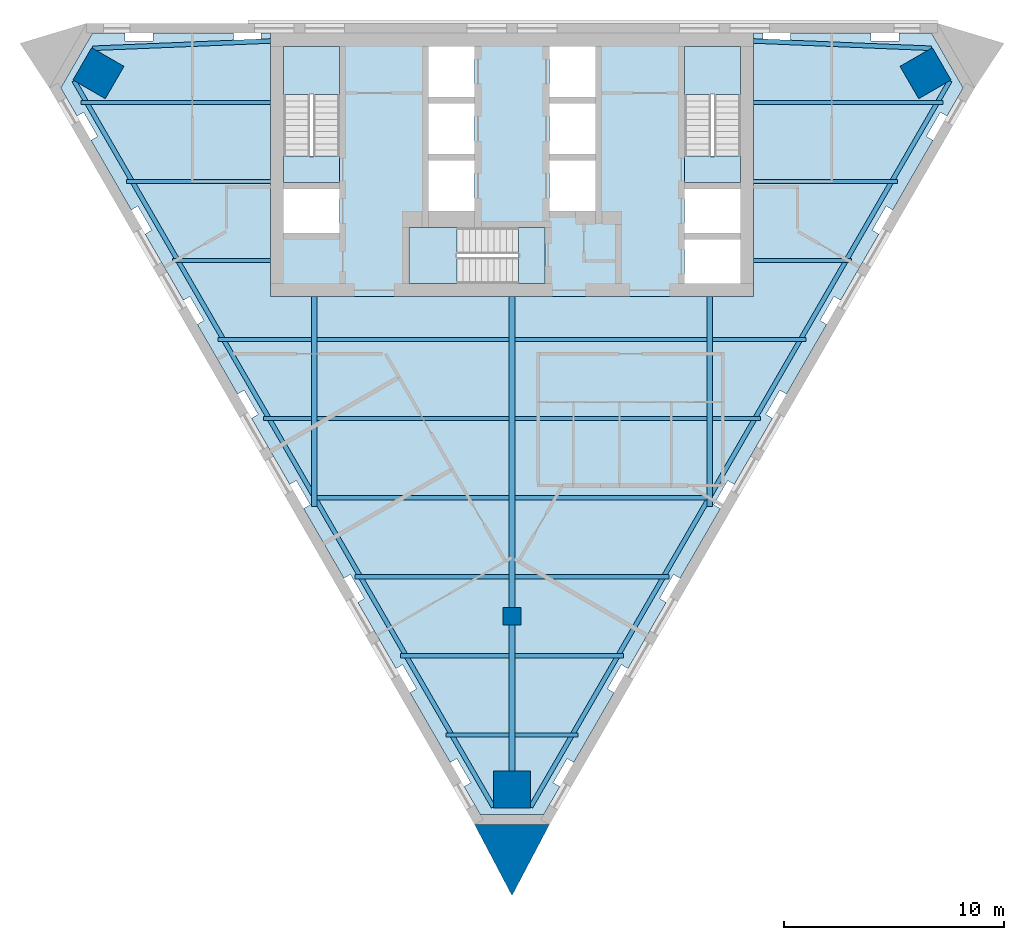
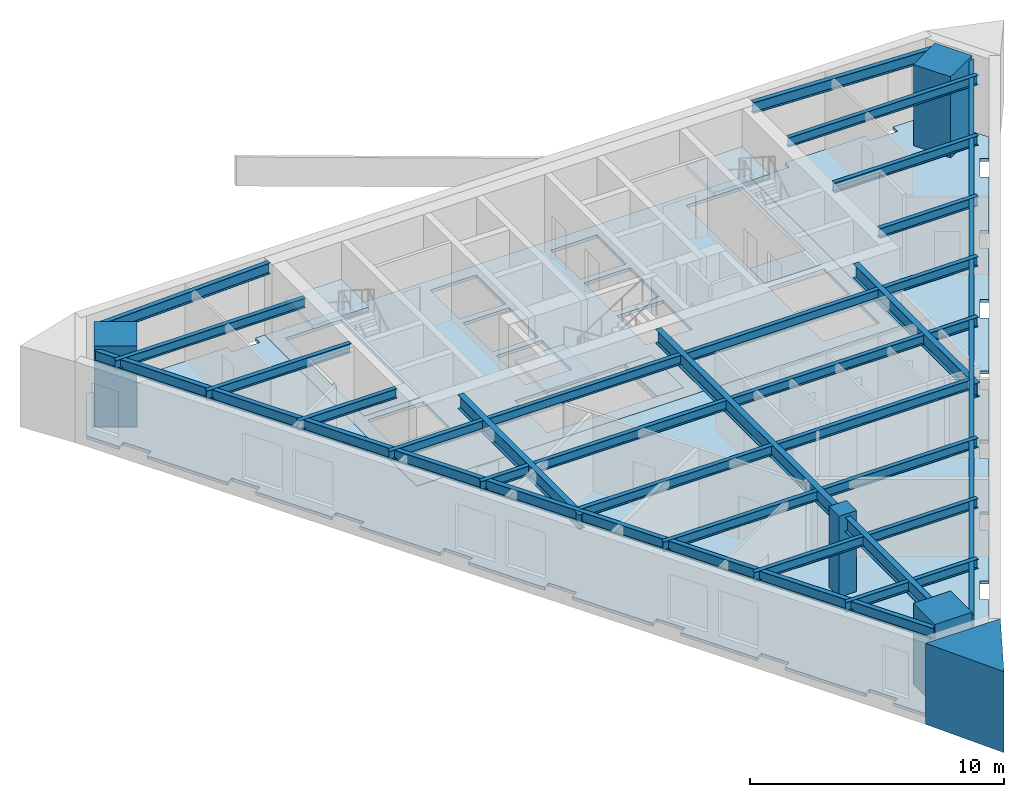
# One storey, part 1 of 6: 30 beams, 8 slabs, 4 columns, 1 wall, 3 elements without a shape of their own.
"""IFC4 building model written with IfcOpenShell, lengths in metres."""

from ifc_helpers import new_model, si_unit, direction, frame, origin, origin_2d, place, context, subcontext, project, spatial, polyline, rectangle, i_section, outline, extrude, material, layer, layer_set, material_profile, profile_set, type_object, element, aggregate, save


model = new_model("IFC4")

# Units and contexts
model_context = context("Model", 3, precision=1e-05, world=origin(), true_north=direction((0.0, 1.0)))
body_context = subcontext(model_context, "Body", "Model", "MODEL_VIEW")
ifc_project = project(units=[si_unit("LENGTHUNIT", "METRE"), si_unit("AREAUNIT", "SQUARE_METRE"), si_unit("VOLUMEUNIT", "CUBIC_METRE"), si_unit("PLANEANGLEUNIT", "RADIAN"), si_unit("MASSUNIT", "GRAM", prefix="KILO")], contexts=[model_context])

# Site, building, storey
site_placement = place(None, origin())
site = spatial("IfcSite", under=ifc_project, at=site_placement, CompositionType="ELEMENT")
building_placement = place(site_placement, origin())
building = spatial("IfcBuilding", under=site, at=building_placement, Name="Aloe Facet Convention Tower", CompositionType="ELEMENT")
storey_placement = place(building_placement, frame((0.0, 0.0, 184.10009765625)))
storey = spatial("IfcBuildingStorey", under=building, at=storey_placement, Name="L46", CompositionType="ELEMENT", Elevation=184.10009765625)

# Columns
ifc_material_1 = material(Name="Concrete C70/85", Category="concrete")
ifc_material_profile_1 = material_profile(ifc_material_1, rectangle(XDim=0.800048828125, YDim=0.800048828125, at=origin_2d()), Name="SF-GC-Z4")
ifc_profile_set_1 = profile_set([ifc_material_profile_1], Name="Concrete C70/85")
column_type_1 = type_object("IfcColumnType", Name="SF-GC-Z4", PredefinedType="COLUMN", material=ifc_profile_set_1)
column_placement = place(storey_placement, frame((80.0, 108.0, 0.0), z_axis=(0.0, 0.0, 1.0), x_axis=(1.0, 0.0, 0.0)))
element("IfcColumn", 1, at=column_placement, inside=storey, type_object=column_type_1, Name="Gravity column GC-Z4-9D", PredefinedType="COLUMN", context=body_context, shape_type="SweptSolid", body=[
    extrude(rectangle(XDim=0.800048828125, YDim=0.800048828125, at=origin_2d()), origin(), (0.0, 0.0, 1.0), 3.89990234375),
])
ifc_material_2 = material(Name="Concrete C80/95", Category="concrete")
ifc_material_profile_2 = material_profile(ifc_material_2, rectangle(XDim=1.699951171875, YDim=1.699951171875, at=origin_2d()), Name="STW-MC-Z4")
ifc_profile_set_2 = profile_set([ifc_material_profile_2], Name="Concrete C80/95")
column_type_2 = type_object("IfcColumnType", Name="STW-MC-Z4", PredefinedType="COLUMN", material=ifc_profile_set_2)
for number, where, z_axis, x_axis, name in (
    (2, (98.828857421875, 132.727783203125, 0.0), (0.0, 0.0, 1.0), (-0.5, 0.866025403784, 0.0), "Mega-column MC-NE-L46"),
    (3, (61.171142578125, 132.727783203125, 0.0), (0.0, 0.0, 1.0), (-0.5, -0.866025403784, 0.0), "Mega-column MC-NW-L46"),
    (4, (80.0, 100.114990234375, 0.0), (0.0, 0.0, 1.0), (1.0, 0.0, 0.0), "Mega-column MC-S-L46"),
):
    element("IfcColumn", number, at=place(storey_placement, frame(where, z_axis=z_axis, x_axis=x_axis)), inside=storey, type_object=column_type_2, Name=name, PredefinedType="COLUMN", context=body_context, shape_type="SweptSolid", body=[
        extrude(rectangle(XDim=1.699951171875, YDim=1.699951171875, at=origin_2d()), origin(), (0.0, 0.0, 1.0), 3.89990234375),
    ])

# Beams
ifc_material_3 = material(Name="Steel S355", Category="steel")
ifc_material_profile_3 = material_profile(ifc_material_3, i_section(OverallWidth=0.19140625, OverallDepth=0.4599609375, WebThickness=0.010009765625, FlangeThickness=0.01611328125, FilletRadius=0.01025390625, at=origin_2d()), Name="UB 457x191x82")
ifc_profile_set_3 = profile_set([ifc_material_profile_3], Name="Steel S355")
beam_type_1 = type_object("IfcBeamType", Name="SF-B-UB457x191x82", PredefinedType="BEAM", material=ifc_profile_set_3)
beam_1_placement = place(storey_placement, frame((60.373779296875, 131.39990234375, 3.52001953125), z_axis=(1.0, 0.0, 0.0), x_axis=(0.0, 1.0, 0.0)))
element("IfcBeam", 5, at=beam_1_placement, inside=storey, type_object=beam_type_1, Name="Floor beam FB-Z4B-009", PredefinedType="BEAM", context=body_context, shape_type="SweptSolid", body=[
    extrude(i_section(OverallWidth=0.19140625, OverallDepth=0.4599609375, WebThickness=0.010009765625, FlangeThickness=0.01611328125, FilletRadius=0.01025390625, at=origin_2d()), origin(), (0.0, 0.0, 1.0), 8.626220703125),
])
beam_2_placement = place(storey_placement, frame((62.452392578125, 127.800048828125, 3.52001953125), z_axis=(1.0, 0.0, 0.0), x_axis=(0.0, 1.0, 0.0)))
element("IfcBeam", 6, at=beam_2_placement, inside=storey, type_object=beam_type_1, Name="Floor beam FB-Z4B-010", PredefinedType="BEAM", context=body_context, shape_type="SweptSolid", body=[
    extrude(i_section(OverallWidth=0.19140625, OverallDepth=0.4599609375, WebThickness=0.010009765625, FlangeThickness=0.01611328125, FilletRadius=0.01025390625, at=origin_2d()), origin(), (0.0, 0.0, 1.0), 6.547607421875),
])
beam_3_placement = place(storey_placement, frame((64.53076171875, 124.199951171875, 3.52001953125), z_axis=(1.0, 0.0, 0.0), x_axis=(0.0, 1.0, 0.0)))
element("IfcBeam", 7, at=beam_3_placement, inside=storey, type_object=beam_type_1, Name="Floor beam FB-Z4B-011", PredefinedType="BEAM", context=body_context, shape_type="SweptSolid", body=[
    extrude(i_section(OverallWidth=0.19140625, OverallDepth=0.4599609375, WebThickness=0.010009765625, FlangeThickness=0.01611328125, FilletRadius=0.01025390625, at=origin_2d()), origin(), (0.0, 0.0, 1.0), 4.46923828125),
])
beam_4_placement = place(storey_placement, frame((66.609130859375, 120.60009765625, 3.52001953125), z_axis=(1.0, 0.0, 0.0), x_axis=(0.0, 1.0, 0.0)))
element("IfcBeam", 8, at=beam_4_placement, inside=storey, type_object=beam_type_1, Name="Floor beam FB-Z4B-012", PredefinedType="BEAM", context=body_context, shape_type="SweptSolid", body=[
    extrude(i_section(OverallWidth=0.19140625, OverallDepth=0.4599609375, WebThickness=0.010009765625, FlangeThickness=0.01611328125, FilletRadius=0.01025390625, at=origin_2d()), origin(), (0.0, 0.0, 1.0), 4.264404296875),
])
beam_5_placement = place(storey_placement, frame((68.687744140625, 117.0, 3.52001953125), z_axis=(1.0, 0.0, 0.0), x_axis=(0.0, 1.0, 0.0)))
element("IfcBeam", 9, at=beam_5_placement, inside=storey, type_object=beam_type_1, Name="Floor beam FB-Z4B-013", PredefinedType="BEAM", context=body_context, shape_type="SweptSolid", body=[
    extrude(i_section(OverallWidth=0.19140625, OverallDepth=0.4599609375, WebThickness=0.010009765625, FlangeThickness=0.01611328125, FilletRadius=0.01025390625, at=origin_2d()), origin(), (0.0, 0.0, 1.0), 2.185791015625),
])
for number, where, z_axis, x_axis, name in (
    (10, (71.12646484375, 113.39990234375, 3.52001953125), (1.0, 0.0, 0.0), (0.0, 1.0, 0.0), "Floor beam FB-Z4B-014"),
    (11, (71.12646484375, 117.0, 3.52001953125), (1.0, 0.0, 0.0), (0.0, 1.0, 0.0), "Floor beam FB-Z4B-015"),
    (12, (71.12646484375, 120.60009765625, 3.52001953125), (1.0, 0.0, 0.0), (0.0, 1.0, 0.0), "Floor beam FB-Z4B-016"),
):
    element("IfcBeam", number, at=place(storey_placement, frame(where, z_axis=z_axis, x_axis=x_axis)), inside=storey, type_object=beam_type_1, Name=name, PredefinedType="BEAM", context=body_context, shape_type="SweptSolid", body=[
        extrude(i_section(OverallWidth=0.19140625, OverallDepth=0.4599609375, WebThickness=0.010009765625, FlangeThickness=0.01611328125, FilletRadius=0.01025390625, at=origin_2d()), origin(), (0.0, 0.0, 1.0), 8.7470703125),
    ])
beam_6_placement = place(storey_placement, frame((72.844482421875, 109.800048828125, 3.52001953125), z_axis=(1.0, 0.0, 0.0), x_axis=(0.0, 1.0, 0.0)))
element("IfcBeam", 13, at=beam_6_placement, inside=storey, type_object=beam_type_1, Name="Floor beam FB-Z4B-017", PredefinedType="BEAM", context=body_context, shape_type="SweptSolid", body=[
    extrude(i_section(OverallWidth=0.19140625, OverallDepth=0.4599609375, WebThickness=0.010009765625, FlangeThickness=0.01611328125, FilletRadius=0.01025390625, at=origin_2d()), origin(), (0.0, 0.0, 1.0), 7.029052734375),
])
beam_7_placement = place(storey_placement, frame((74.923095703125, 106.199951171875, 3.52001953125), z_axis=(1.0, 0.0, 0.0), x_axis=(0.0, 1.0, 0.0)))
element("IfcBeam", 14, at=beam_7_placement, inside=storey, type_object=beam_type_1, Name="Floor beam FB-Z4B-018", PredefinedType="BEAM", context=body_context, shape_type="SweptSolid", body=[
    extrude(i_section(OverallWidth=0.19140625, OverallDepth=0.4599609375, WebThickness=0.010009765625, FlangeThickness=0.01611328125, FilletRadius=0.01025390625, at=origin_2d()), origin(), (0.0, 0.0, 1.0), 4.950439453125),
])
for number, where, z_axis, x_axis, name in (
    (15, (77.00146484375, 102.60009765625, 3.52001953125), (1.0, 0.0, 0.0), (0.0, 1.0, 0.0), "Floor beam FB-Z4B-019"),
    (16, (80.12646484375, 102.60009765625, 3.52001953125), (1.0, 0.0, 0.0), (0.0, 1.0, 0.0), "Floor beam FB-Z4B-020"),
):
    element("IfcBeam", number, at=place(storey_placement, frame(where, z_axis=z_axis, x_axis=x_axis)), inside=storey, type_object=beam_type_1, Name=name, PredefinedType="BEAM", context=body_context, shape_type="SweptSolid", body=[
        extrude(i_section(OverallWidth=0.19140625, OverallDepth=0.4599609375, WebThickness=0.010009765625, FlangeThickness=0.01611328125, FilletRadius=0.01025390625, at=origin_2d()), origin(), (0.0, 0.0, 1.0), 2.8720703125),
    ])
beam_8_placement = place(storey_placement, frame((80.12646484375, 106.199951171875, 3.52001953125), z_axis=(1.0, 0.0, 0.0), x_axis=(0.0, 1.0, 0.0)))
element("IfcBeam", 17, at=beam_8_placement, inside=storey, type_object=beam_type_1, Name="Floor beam FB-Z4B-021", PredefinedType="BEAM", context=body_context, shape_type="SweptSolid", body=[
    extrude(i_section(OverallWidth=0.19140625, OverallDepth=0.4599609375, WebThickness=0.010009765625, FlangeThickness=0.01611328125, FilletRadius=0.01025390625, at=origin_2d()), origin(), (0.0, 0.0, 1.0), 4.950439453125),
])
beam_9_placement = place(storey_placement, frame((80.12646484375, 109.800048828125, 3.52001953125), z_axis=(1.0, 0.0, 0.0), x_axis=(0.0, 1.0, 0.0)))
element("IfcBeam", 18, at=beam_9_placement, inside=storey, type_object=beam_type_1, Name="Floor beam FB-Z4B-022", PredefinedType="BEAM", context=body_context, shape_type="SweptSolid", body=[
    extrude(i_section(OverallWidth=0.19140625, OverallDepth=0.4599609375, WebThickness=0.010009765625, FlangeThickness=0.01611328125, FilletRadius=0.01025390625, at=origin_2d()), origin(), (0.0, 0.0, 1.0), 7.029052734375),
])
for number, where, z_axis, x_axis, name in (
    (19, (80.12646484375, 113.39990234375, 3.52001953125), (1.0, 0.0, 0.0), (0.0, 1.0, 0.0), "Floor beam FB-Z4B-023"),
    (20, (80.12646484375, 117.0, 3.52001953125), (1.0, 0.0, 0.0), (0.0, 1.0, 0.0), "Floor beam FB-Z4B-024"),
    (21, (80.12646484375, 120.60009765625, 3.52001953125), (1.0, 0.0, 0.0), (0.0, 1.0, 0.0), "Floor beam FB-Z4B-025"),
):
    element("IfcBeam", number, at=place(storey_placement, frame(where, z_axis=z_axis, x_axis=x_axis)), inside=storey, type_object=beam_type_1, Name=name, PredefinedType="BEAM", context=body_context, shape_type="SweptSolid", body=[
        extrude(i_section(OverallWidth=0.19140625, OverallDepth=0.4599609375, WebThickness=0.010009765625, FlangeThickness=0.01611328125, FilletRadius=0.01025390625, at=origin_2d()), origin(), (0.0, 0.0, 1.0), 8.7470703125),
    ])
beam_10_placement = place(storey_placement, frame((89.12646484375, 117.0, 3.52001953125), z_axis=(1.0, 0.0, 0.0), x_axis=(0.0, 1.0, 0.0)))
element("IfcBeam", 22, at=beam_10_placement, inside=storey, type_object=beam_type_1, Name="Floor beam FB-Z4B-026", PredefinedType="BEAM", context=body_context, shape_type="SweptSolid", body=[
    extrude(i_section(OverallWidth=0.19140625, OverallDepth=0.4599609375, WebThickness=0.010009765625, FlangeThickness=0.01611328125, FilletRadius=0.01025390625, at=origin_2d()), origin(), (0.0, 0.0, 1.0), 2.185791015625),
])
beam_11_placement = place(storey_placement, frame((89.12646484375, 120.60009765625, 3.52001953125), z_axis=(1.0, 0.0, 0.0), x_axis=(0.0, 1.0, 0.0)))
element("IfcBeam", 23, at=beam_11_placement, inside=storey, type_object=beam_type_1, Name="Floor beam FB-Z4B-027", PredefinedType="BEAM", context=body_context, shape_type="SweptSolid", body=[
    extrude(i_section(OverallWidth=0.19140625, OverallDepth=0.4599609375, WebThickness=0.010009765625, FlangeThickness=0.01611328125, FilletRadius=0.01025390625, at=origin_2d()), origin(), (0.0, 0.0, 1.0), 4.264404296875),
])
beam_12_placement = place(storey_placement, frame((91.0, 124.199951171875, 3.52001953125), z_axis=(1.0, 0.0, 0.0), x_axis=(0.0, 1.0, 0.0)))
element("IfcBeam", 24, at=beam_12_placement, inside=storey, type_object=beam_type_1, Name="Floor beam FB-Z4B-028", PredefinedType="BEAM", context=body_context, shape_type="SweptSolid", body=[
    extrude(i_section(OverallWidth=0.19140625, OverallDepth=0.4599609375, WebThickness=0.010009765625, FlangeThickness=0.01611328125, FilletRadius=0.01025390625, at=origin_2d()), origin(), (0.0, 0.0, 1.0), 4.46923828125),
])
beam_13_placement = place(storey_placement, frame((91.0, 127.800048828125, 3.52001953125), z_axis=(1.0, 0.0, 0.0), x_axis=(0.0, 1.0, 0.0)))
element("IfcBeam", 25, at=beam_13_placement, inside=storey, type_object=beam_type_1, Name="Floor beam FB-Z4B-029", PredefinedType="BEAM", context=body_context, shape_type="SweptSolid", body=[
    extrude(i_section(OverallWidth=0.19140625, OverallDepth=0.4599609375, WebThickness=0.010009765625, FlangeThickness=0.01611328125, FilletRadius=0.01025390625, at=origin_2d()), origin(), (0.0, 0.0, 1.0), 6.547607421875),
])
beam_14_placement = place(storey_placement, frame((91.0, 131.39990234375, 3.52001953125), z_axis=(1.0, 0.0, 0.0), x_axis=(0.0, 1.0, 0.0)))
element("IfcBeam", 26, at=beam_14_placement, inside=storey, type_object=beam_type_1, Name="Floor beam FB-Z4B-030", PredefinedType="BEAM", context=body_context, shape_type="SweptSolid", body=[
    extrude(i_section(OverallWidth=0.19140625, OverallDepth=0.4599609375, WebThickness=0.010009765625, FlangeThickness=0.01611328125, FilletRadius=0.01025390625, at=origin_2d()), origin(), (0.0, 0.0, 1.0), 8.626220703125),
])
ifc_material_4 = material(Name="Steel S355", Category="steel")
ifc_material_profile_4 = material_profile(ifc_material_4, i_section(OverallWidth=0.209228515625, OverallDepth=0.533203125, WebThickness=0.010009765625, FlangeThickness=0.015625, FilletRadius=0.0126953125, at=origin_2d()), Name="UB 533x210x92")
ifc_profile_set_4 = profile_set([ifc_material_profile_4], Name="Steel S355")
beam_type_2 = type_object("IfcBeamType", Name="SF-B-UB533x210x92", PredefinedType="BEAM", material=ifc_profile_set_4)
beam_15_placement = place(storey_placement, frame((60.9072265625, 133.861572265625, 3.4833984375), z_axis=(0.999150743543, 0.041204267721, 0.0), x_axis=(-0.041204267721, 0.999150743543, 0.0)))
element("IfcBeam", 27, at=beam_15_placement, inside=storey, type_object=beam_type_2, Name="Floor beam FB-Z4B-001", PredefinedType="BEAM", context=body_context, shape_type="SweptSolid", body=[
    extrude(i_section(OverallWidth=0.209228515625, OverallDepth=0.533203125, WebThickness=0.010009765625, FlangeThickness=0.015625, FilletRadius=0.0126953125, at=origin_2d()), origin(), (0.0, 0.0, 1.0), 8.099609375),
])
beam_16_placement = place(storey_placement, frame((79.14990234375, 99.319580078125, 3.4833984375), z_axis=(-0.499998065821, 0.866026520481, 0.0), x_axis=(-0.866026520481, -0.499998065821, 0.0)))
element("IfcBeam", 28, at=beam_16_placement, inside=storey, type_object=beam_type_2, Name="Floor beam FB-Z4B-002", PredefinedType="BEAM", context=body_context, shape_type="SweptSolid", body=[
    extrude(i_section(OverallWidth=0.209228515625, OverallDepth=0.533203125, WebThickness=0.010009765625, FlangeThickness=0.015625, FilletRadius=0.0126953125, at=origin_2d()), origin(), (0.0, 0.0, 1.0), 38.185791015625),
])
beam_17_placement = place(storey_placement, frame((91.0, 134.1953125, 3.4833984375), z_axis=(0.999150743543, -0.041204267721, 0.0), x_axis=(0.041204267721, 0.999150743543, 0.0)))
element("IfcBeam", 29, at=beam_17_placement, inside=storey, type_object=beam_type_2, Name="Floor beam FB-Z4B-003", PredefinedType="BEAM", context=body_context, shape_type="SweptSolid", body=[
    extrude(i_section(OverallWidth=0.209228515625, OverallDepth=0.533203125, WebThickness=0.010009765625, FlangeThickness=0.015625, FilletRadius=0.0126953125, at=origin_2d()), origin(), (0.0, 0.0, 1.0), 8.099609375),
])
beam_18_placement = place(storey_placement, frame((99.94287109375, 132.389404296875, 3.4833984375), z_axis=(-0.499998065821, -0.866026520481, 0.0), x_axis=(0.866026520481, -0.499998065821, 0.0)))
element("IfcBeam", 30, at=beam_18_placement, inside=storey, type_object=beam_type_2, Name="Floor beam FB-Z4B-004", PredefinedType="BEAM", context=body_context, shape_type="SweptSolid", body=[
    extrude(i_section(OverallWidth=0.209228515625, OverallDepth=0.533203125, WebThickness=0.010009765625, FlangeThickness=0.015625, FilletRadius=0.0126953125, at=origin_2d()), origin(), (0.0, 0.0, 1.0), 38.185791015625),
])
ifc_material_5 = material(Name="Steel S355", Category="steel")
ifc_material_profile_5 = material_profile(ifc_material_5, i_section(OverallWidth=0.2529296875, OverallDepth=0.677978515625, WebThickness=0.01171875, FlangeThickness=0.01611328125, FilletRadius=0.01513671875, at=origin_2d()), Name="UB 686x254x125")
ifc_profile_set_5 = profile_set([ifc_material_profile_5], Name="Steel S355")
beam_type_3 = type_object("IfcBeamType", Name="SF-B-UB686x254x125", PredefinedType="BEAM", material=ifc_profile_set_5)
beam_19_placement = place(storey_placement, frame((71.0, 122.550048828125, 3.410888671875), z_axis=(0.0, -1.0, 0.0), x_axis=(1.0, 0.0, 0.0)))
element("IfcBeam", 31, at=beam_19_placement, inside=storey, type_object=beam_type_3, Name="Floor beam FB-Z4B-005", PredefinedType="BEAM", context=body_context, shape_type="SweptSolid", body=[
    extrude(i_section(OverallWidth=0.2529296875, OverallDepth=0.677978515625, WebThickness=0.01171875, FlangeThickness=0.01611328125, FilletRadius=0.01513671875, at=origin_2d()), origin(), (0.0, 0.0, 1.0), 9.5625),
])
beam_20_placement = place(storey_placement, frame((80.0, 107.60009765625, 3.410888671875), z_axis=(0.0, -1.0, 0.0), x_axis=(1.0, 0.0, 0.0)))
element("IfcBeam", 32, at=beam_20_placement, inside=storey, type_object=beam_type_3, Name="Floor beam FB-Z4B-006", PredefinedType="BEAM", context=body_context, shape_type="SweptSolid", body=[
    extrude(i_section(OverallWidth=0.2529296875, OverallDepth=0.677978515625, WebThickness=0.01171875, FlangeThickness=0.01611328125, FilletRadius=0.01513671875, at=origin_2d()), origin(), (0.0, 0.0, 1.0), 8.165771484375),
])
beam_21_placement = place(storey_placement, frame((80.0, 122.550048828125, 3.410888671875), z_axis=(0.0, -1.0, 0.0), x_axis=(1.0, 0.0, 0.0)))
element("IfcBeam", 33, at=beam_21_placement, inside=storey, type_object=beam_type_3, Name="Floor beam FB-Z4B-007", PredefinedType="BEAM", context=body_context, shape_type="SweptSolid", body=[
    extrude(i_section(OverallWidth=0.2529296875, OverallDepth=0.677978515625, WebThickness=0.01171875, FlangeThickness=0.01611328125, FilletRadius=0.01513671875, at=origin_2d()), origin(), (0.0, 0.0, 1.0), 14.150146484375),
])
beam_22_placement = place(storey_placement, frame((89.0, 122.550048828125, 3.410888671875), z_axis=(0.0, -1.0, 0.0), x_axis=(1.0, 0.0, 0.0)))
element("IfcBeam", 34, at=beam_22_placement, inside=storey, type_object=beam_type_3, Name="Floor beam FB-Z4B-008", PredefinedType="BEAM", context=body_context, shape_type="SweptSolid", body=[
    extrude(i_section(OverallWidth=0.2529296875, OverallDepth=0.677978515625, WebThickness=0.01171875, FlangeThickness=0.01611328125, FilletRadius=0.01513671875, at=origin_2d()), origin(), (0.0, 0.0, 1.0), 9.5625),
])

# Slabs
ifc_material_6 = material(Name="Concrete C50/60", Category="concrete")
ifc_layer_1 = layer(ifc_material_6, 0.14990234375)
ifc_layer_set_1 = layer_set([ifc_layer_1], Name="CR-S-FLOOR150-C5060")
slab_type_1 = type_object("IfcSlabType", Name="CR-S-FLOOR150-C5060", PredefinedType="FLOOR", material=ifc_layer_set_1)
slab_1_placement = place(storey_placement, frame((0.0, 0.0, -0.150146484375)))
element("IfcSlab", 35, at=slab_1_placement, inside=storey, type_object=slab_type_1, Name="Core floor L46", PredefinedType="FLOOR", context=body_context, shape_type="SweptSolid", body=[
    extrude(outline(polyline([(71.85009765625, 134.550048828125), (72.75, 134.550048828125), (75.60009765625, 134.550048828125), (76.5, 134.550048828125), (78.0, 134.550048828125), (78.89990234375, 134.550048828125), (81.10009765625, 134.550048828125), (82.0, 134.550048828125), (83.5, 134.550048828125), (84.39990234375, 134.550048828125), (87.25, 134.550048828125), (88.14990234375, 134.550048828125), (91.0, 134.550048828125), (91.0, 128.050048828125), (91.0, 127.14990234375), (91.0, 125.75), (91.0, 124.85009765625), (91.0, 122.550048828125), (88.14990234375, 122.550048828125), (87.25, 122.550048828125), (85.300048828125, 122.550048828125), (84.39990234375, 122.550048828125), (82.10009765625, 122.550048828125), (81.199951171875, 122.550048828125), (75.60009765625, 122.550048828125), (74.699951171875, 122.550048828125), (72.75, 122.550048828125), (71.85009765625, 122.550048828125), (69.0, 122.550048828125), (69.0, 124.85009765625), (69.0, 125.75), (69.0, 127.14990234375), (69.0, 128.050048828125), (69.0, 134.550048828125), (71.85009765625, 134.550048828125)]), holes=[polyline([(80.298828125, 123.14990234375), (81.5, 123.14990234375), (81.5, 125.699951171875), (80.298828125, 125.699951171875), (75.300048828125, 125.699951171875), (75.300048828125, 123.14990234375), (80.298828125, 123.14990234375)]), polyline([(69.60009765625, 125.449951171875), (72.14990234375, 125.449951171875), (72.14990234375, 127.449951171875), (69.60009765625, 127.449951171875), (69.60009765625, 125.449951171875)]), polyline([(76.199951171875, 126.449951171875), (78.300048828125, 126.449951171875), (78.300048828125, 128.75), (76.199951171875, 128.75), (76.199951171875, 126.449951171875)]), polyline([(78.300048828125, 129.050048828125), (78.300048828125, 131.35009765625), (76.199951171875, 131.35009765625), (76.199951171875, 129.050048828125), (78.300048828125, 129.050048828125)]), polyline([(69.60009765625, 133.949951171875), (69.60009765625, 128.951171875), (69.60009765625, 127.75), (72.14990234375, 127.75), (72.14990234375, 128.951171875), (72.14990234375, 133.949951171875), (69.60009765625, 133.949951171875)]), polyline([(76.199951171875, 131.64990234375), (78.300048828125, 131.64990234375), (78.300048828125, 133.949951171875), (76.199951171875, 133.949951171875), (76.199951171875, 131.64990234375)]), polyline([(90.39990234375, 123.14990234375), (90.39990234375, 125.14990234375), (87.85009765625, 125.14990234375), (87.85009765625, 123.14990234375), (90.39990234375, 123.14990234375)]), polyline([(87.85009765625, 125.449951171875), (90.39990234375, 125.449951171875), (90.39990234375, 127.449951171875), (87.85009765625, 127.449951171875), (87.85009765625, 125.449951171875)]), polyline([(81.699951171875, 126.449951171875), (83.800048828125, 126.449951171875), (83.800048828125, 128.75), (81.699951171875, 128.75), (81.699951171875, 126.449951171875)]), polyline([(83.800048828125, 129.050048828125), (83.800048828125, 131.35009765625), (81.699951171875, 131.35009765625), (81.699951171875, 129.050048828125), (83.800048828125, 129.050048828125)]), polyline([(87.85009765625, 133.949951171875), (87.85009765625, 128.951171875), (87.85009765625, 127.75), (90.39990234375, 127.75), (90.39990234375, 128.951171875), (90.39990234375, 133.949951171875), (87.85009765625, 133.949951171875)]), polyline([(81.699951171875, 131.64990234375), (83.800048828125, 131.64990234375), (83.800048828125, 133.949951171875), (81.699951171875, 133.949951171875), (81.699951171875, 131.64990234375)])]), origin(), (0.0, 0.0, 1.0), 0.150146484375),
])
ifc_material_7 = material(Name="Concrete C50/60", Category="concrete")
ifc_layer_2 = layer(ifc_material_7, 0.300048828125)
ifc_layer_set_2 = layer_set([ifc_layer_2], Name="CR-S-FLOOR300-C5060")
slab_type_2 = type_object("IfcSlabType", Name="CR-S-FLOOR300-C5060", PredefinedType="FLOOR", material=ifc_layer_set_2)
slab_2_placement = place(storey_placement, frame((0.0, 0.0, -0.300048828125)))
element("IfcSlab", 36, at=slab_2_placement, inside=storey, type_object=slab_type_2, Name="Stair landing floor L46", PredefinedType="FLOOR", context=body_context, shape_type="SweptSolid", body=[
    extrude(outline(polyline([(72.14990234375, 127.75), (72.14990234375, 128.951171875), (69.60009765625, 128.951171875), (69.60009765625, 127.75), (72.14990234375, 127.75)])), origin(), (0.0, 0.0, 1.0), 0.300048828125),
])
slab_3_placement = place(storey_placement, frame((0.0, 0.0, -0.300048828125)))
element("IfcSlab", 37, at=slab_3_placement, inside=storey, type_object=slab_type_2, Name="Stair landing floor L46", PredefinedType="FLOOR", context=body_context, shape_type="SweptSolid", body=[
    extrude(outline(polyline([(90.39990234375, 127.75), (90.39990234375, 128.951171875), (87.85009765625, 128.951171875), (87.85009765625, 127.75), (90.39990234375, 127.75)])), origin(), (0.0, 0.0, 1.0), 0.300048828125),
])
slab_4_placement = place(storey_placement, frame((0.0, 0.0, -0.300048828125)))
element("IfcSlab", 38, at=slab_4_placement, inside=storey, type_object=slab_type_2, Name="Stair landing floor L46", PredefinedType="FLOOR", context=body_context, shape_type="SweptSolid", body=[
    extrude(outline(polyline([(81.5, 125.699951171875), (80.298828125, 125.699951171875), (80.298828125, 123.14990234375), (81.5, 123.14990234375), (81.5, 125.699951171875)])), origin(), (0.0, 0.0, 1.0), 0.300048828125),
])

# Stair, slab
ifc_material_8 = material(Name="Concrete C50/60", Category="concrete")
stair_type = type_object("IfcStairType", Name="CR-ST-22R", PredefinedType="HALF_TURN_STAIR", material=ifc_material_8)
stair_1_placement = place(storey_placement, origin())
stair_1 = element("IfcStair", 39, at=stair_1_placement, inside=storey, type_object=stair_type, Name="L46 Protected exit stair ST1", PredefinedType="HALF_TURN_STAIR")
ifc_material_9 = material(Name="Concrete C50/60", Category="concrete")
ifc_layer_3 = layer(ifc_material_9, 0.199951171875)
ifc_layer_set_3 = layer_set([ifc_layer_3], Name="CR-SL-LANDING")
slab_type_3 = type_object("IfcSlabType", Name="CR-SL-LANDING", PredefinedType="LANDING", material=ifc_layer_set_3)
slab_5_placement = place(storey_placement, frame((0.0, 0.0, 1.75)))
slab_5 = element("IfcSlab", 40, at=slab_5_placement, type_object=slab_type_3, Name="ST1 landing 1", PredefinedType="LANDING", context=body_context, shape_type="SweptSolid", body=[
    extrude(outline(polyline([(72.14990234375, 131.75), (72.14990234375, 133.949951171875), (69.60009765625, 133.949951171875), (69.60009765625, 131.75), (72.14990234375, 131.75)])), origin(), (0.0, 0.0, 1.0), 0.199951171875),
])
aggregate(stair_1, [slab_5])

stair_2_placement = place(storey_placement, origin())
stair_2 = element("IfcStair", 41, at=stair_2_placement, inside=storey, type_object=stair_type, Name="L46 Protected exit stair ST2", PredefinedType="HALF_TURN_STAIR")
slab_6_placement = place(storey_placement, frame((0.0, 0.0, 1.75)))
slab_6 = element("IfcSlab", 42, at=slab_6_placement, type_object=slab_type_3, Name="ST2 landing 1", PredefinedType="LANDING", context=body_context, shape_type="SweptSolid", body=[
    extrude(outline(polyline([(90.39990234375, 131.75), (90.39990234375, 133.949951171875), (87.85009765625, 133.949951171875), (87.85009765625, 131.75), (90.39990234375, 131.75)])), origin(), (0.0, 0.0, 1.0), 0.199951171875),
])
aggregate(stair_2, [slab_6])

stair_3_placement = place(storey_placement, origin())
stair_3 = element("IfcStair", 43, at=stair_3_placement, inside=storey, type_object=stair_type, Name="L46 Protected exit stair ST3", PredefinedType="HALF_TURN_STAIR")
slab_7_placement = place(storey_placement, frame((0.0, 0.0, 1.75)))
slab_7 = element("IfcSlab", 44, at=slab_7_placement, type_object=slab_type_3, Name="ST3 landing 1", PredefinedType="LANDING", context=body_context, shape_type="SweptSolid", body=[
    extrude(outline(polyline([(77.5, 125.699951171875), (75.300048828125, 125.699951171875), (75.300048828125, 123.14990234375), (77.5, 123.14990234375), (77.5, 125.699951171875)])), origin(), (0.0, 0.0, 1.0), 0.199951171875),
])
aggregate(stair_3, [slab_7])

# Slab
ifc_material_10 = material(Name="Concrete C35/45", Category="concrete")
ifc_layer_4 = layer(ifc_material_10, 0.14990234375)
ifc_layer_set_4 = layer_set([ifc_layer_4], Name="SF-FS-150")
slab_type_4 = type_object("IfcSlabType", Name="SF-FS-150", PredefinedType="FLOOR", material=ifc_layer_set_4)
slab_8_placement = place(storey_placement, frame((0.0, 0.0, -0.150146484375)))
element("IfcSlab", 45, at=slab_8_placement, inside=storey, type_object=slab_type_4, Name="Floor slab L46-1", PredefinedType="FLOOR", context=body_context, shape_type="SweptSolid", body=[
    extrude(outline(polyline([(100.544921875, 132.055419921875), (99.805419921875, 130.7744140625), (99.502197265625, 130.949462890625), (98.8671875, 129.849609375), (99.17041015625, 129.674560546875), (97.33837890625, 126.501220703125), (97.03515625, 126.67626953125), (96.400146484375, 125.576416015625), (96.703369140625, 125.4013671875), (94.96435546875, 122.389404296875), (94.6611328125, 122.564453125), (94.026123046875, 121.464599609375), (94.3291015625, 121.28955078125), (92.4970703125, 118.1162109375), (92.194091796875, 118.291259765625), (91.55908203125, 117.19140625), (91.862060546875, 117.016357421875), (90.123046875, 114.004150390625), (89.820068359375, 114.17919921875), (89.18505859375, 113.079345703125), (89.488037109375, 112.904296875), (87.656005859375, 109.731201171875), (87.352783203125, 109.906005859375), (86.7177734375, 108.80615234375), (87.02099609375, 108.631103515625), (85.281982421875, 105.619140625), (84.978759765625, 105.794189453125), (84.34375, 104.694091796875), (84.64697265625, 104.519287109375), (82.814697265625, 101.345947265625), (82.51171875, 101.52099609375), (81.876708984375, 100.4208984375), (82.1796875, 100.24609375), (81.440185546875, 98.965087890625), (78.559814453125, 98.965087890625), (77.8203125, 100.24609375), (78.123291015625, 100.4208984375), (77.48828125, 101.52099609375), (77.185302734375, 101.345947265625), (75.35302734375, 104.519287109375), (75.65625, 104.694091796875), (75.021240234375, 105.794189453125), (74.718017578125, 105.619140625), (72.97900390625, 108.631103515625), (73.2822265625, 108.80615234375), (72.647216796875, 109.906005859375), (72.343994140625, 109.731201171875), (70.511962890625, 112.904296875), (70.81494140625, 113.079345703125), (70.179931640625, 114.17919921875), (69.876953125, 114.004150390625), (68.137939453125, 117.016357421875), (68.44091796875, 117.19140625), (67.805908203125, 118.291259765625), (67.5029296875, 118.1162109375), (65.6708984375, 121.28955078125), (65.973876953125, 121.464599609375), (65.3388671875, 122.564453125), (65.03564453125, 122.389404296875), (63.296630859375, 125.4013671875), (63.599853515625, 125.576416015625), (62.96484375, 126.67626953125), (62.66162109375, 126.501220703125), (60.82958984375, 129.674560546875), (61.1328125, 129.849609375), (60.497802734375, 130.949462890625), (60.194580078125, 130.7744140625), (59.455078125, 132.055419921875), (60.895263671875, 134.550048828125), (62.37451171875, 134.550048828125), (62.37451171875, 134.199951171875), (63.644287109375, 134.199951171875), (63.644287109375, 134.550048828125), (67.30859375, 134.550048828125), (67.30859375, 134.199951171875), (68.57861328125, 134.199951171875), (68.57861328125, 134.550048828125), (69.0, 134.550048828125), (69.0, 128.050048828125), (69.0, 127.14990234375), (69.0, 125.75), (69.0, 124.85009765625), (69.0, 122.550048828125), (71.85009765625, 122.550048828125), (72.75, 122.550048828125), (74.699951171875, 122.550048828125), (75.60009765625, 122.550048828125), (81.199951171875, 122.550048828125), (82.10009765625, 122.550048828125), (84.39990234375, 122.550048828125), (85.300048828125, 122.550048828125), (87.25, 122.550048828125), (88.14990234375, 122.550048828125), (91.0, 122.550048828125), (91.0, 124.85009765625), (91.0, 125.75), (91.0, 127.14990234375), (91.0, 128.050048828125), (91.0, 134.550048828125), (91.42138671875, 134.550048828125), (91.42138671875, 134.199951171875), (92.69140625, 134.199951171875), (92.69140625, 134.550048828125), (96.355712890625, 134.550048828125), (96.355712890625, 134.199951171875), (97.62548828125, 134.199951171875), (97.62548828125, 134.550048828125), (99.104736328125, 134.550048828125), (100.544921875, 132.055419921875)]), holes=[polyline([(80.85009765625, 99.264892578125), (80.85009765625, 100.965087890625), (79.14990234375, 100.965087890625), (79.14990234375, 99.264892578125), (80.85009765625, 99.264892578125)]), polyline([(60.85986328125, 133.888916015625), (60.010009765625, 132.41650390625), (61.482177734375, 131.566650390625), (62.33203125, 133.038818359375), (60.85986328125, 133.888916015625)]), polyline([(80.39990234375, 107.60009765625), (80.39990234375, 108.39990234375), (79.60009765625, 108.39990234375), (79.60009765625, 107.60009765625), (80.39990234375, 107.60009765625)]), polyline([(99.989990234375, 132.41650390625), (99.14013671875, 133.888916015625), (97.66796875, 133.038818359375), (98.517822265625, 131.566650390625), (99.989990234375, 132.41650390625)])]), origin(), (0.0, 0.0, 1.0), 0.150146484375),
])

# Wall
ifc_material_11 = material(Name="Precast concrete C40/50", Category="concrete")
ifc_layer_5 = layer(ifc_material_11, 3.947998046875)
ifc_layer_set_5 = layer_set([ifc_layer_5], Name="EV-WALL-SPINE")
wall_type = type_object("IfcWallType", Name="EV-WALL-SPINE", PredefinedType="SOLIDWALL", material=ifc_layer_set_5)
wall_placement = place(storey_placement, frame((0.0, 0.0, -0.150146484375)))
element("IfcWall", 46, at=wall_placement, inside=storey, type_object=wall_type, Name="SP-S-L46", PredefinedType="SOLIDWALL", context=body_context, shape_type="SweptSolid", body=[
    extrude(outline(polyline([(78.300048828125, 98.514892578125), (80.0, 95.28369140625), (81.699951171875, 98.514892578125), (78.300048828125, 98.514892578125)])), origin(), (0.0, 0.0, 1.0), 3.900146484375),
])

save(model, "model.ifc")
